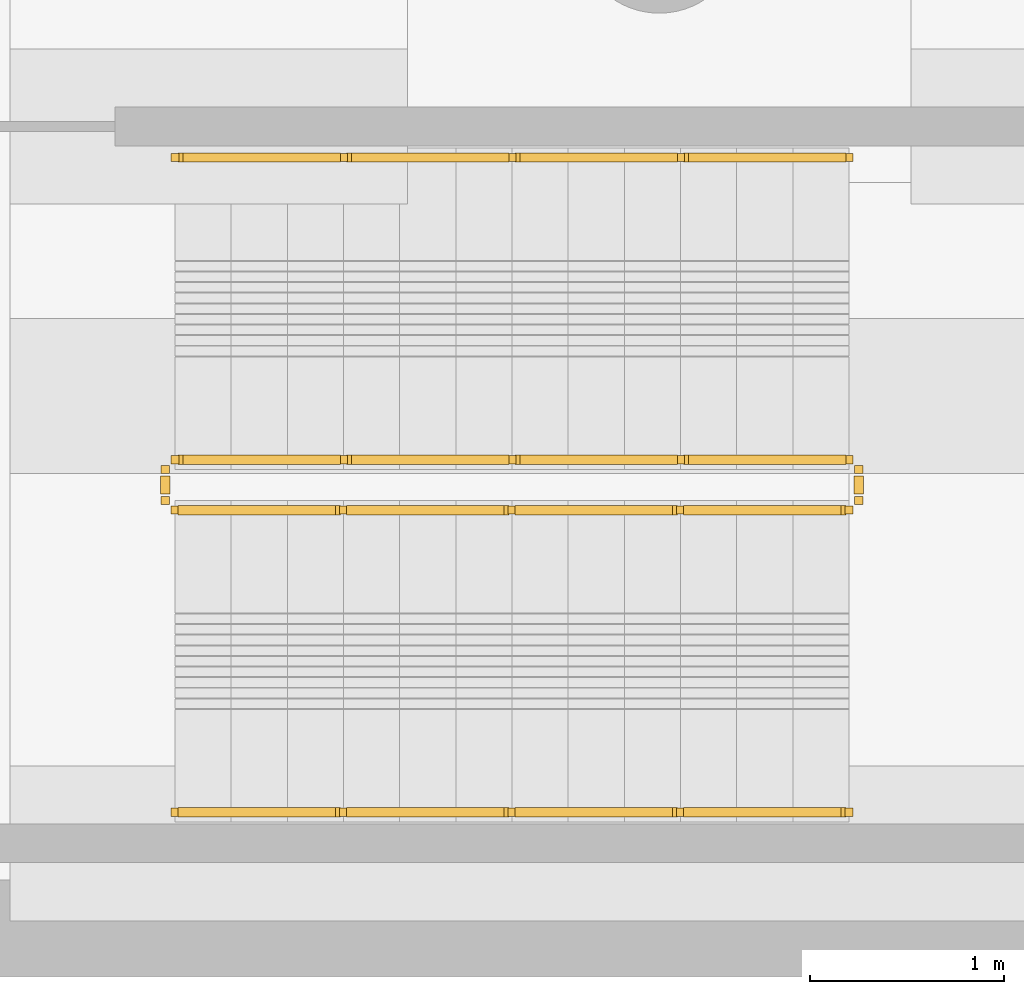
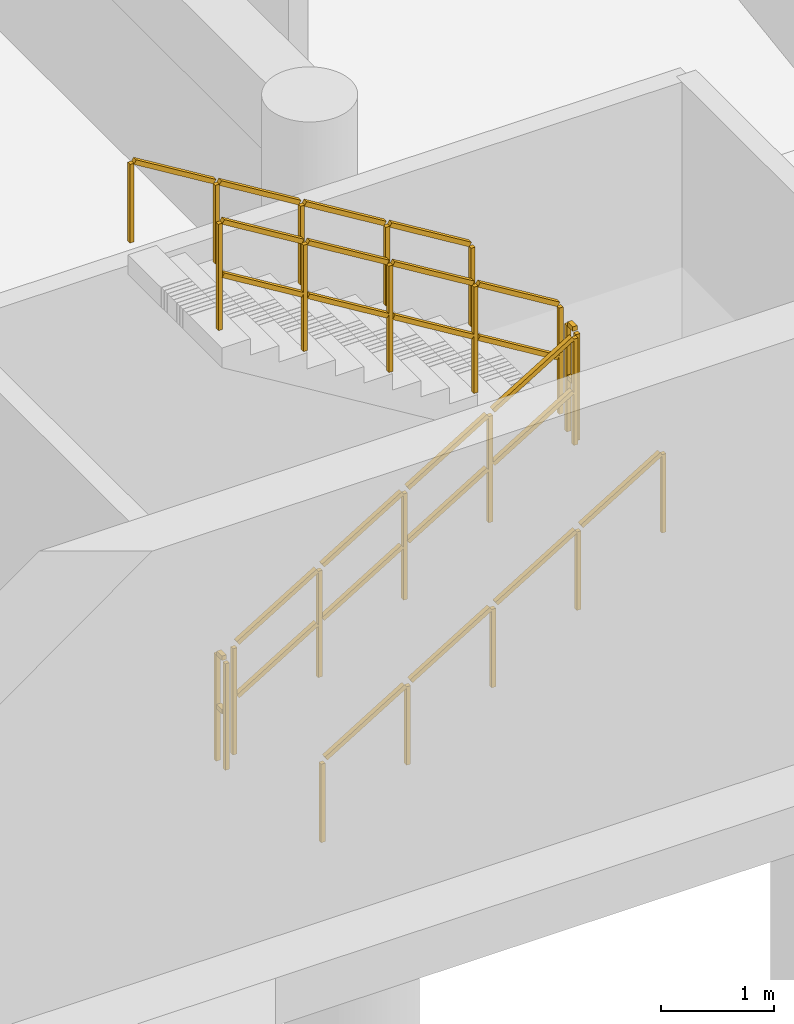
# One storey, part 13 of 14: 6 railings.
"""IFC4 building model written with IfcOpenShell, lengths in metres."""

from ifc_helpers import new_model, si_unit, direction, frame, origin, origin_2d, place, context, subcontext, project, spatial, rectangle, extrude, material, type_object, element, save


model = new_model("IFC4")

# Units and contexts
model_context = context("Model", 3, precision=1e-05, world=origin(), true_north=direction((0.0, 1.0)))
body_context = subcontext(model_context, "Body", "Model", "MODEL_VIEW")
ifc_project = project(units=[si_unit("LENGTHUNIT", "METRE"), si_unit("AREAUNIT", "SQUARE_METRE"), si_unit("VOLUMEUNIT", "CUBIC_METRE"), si_unit("PLANEANGLEUNIT", "RADIAN"), si_unit("MASSUNIT", "GRAM", prefix="KILO")], contexts=[model_context])

# Site, building, storey
site_placement = place(None, origin())
site = spatial("IfcSite", under=ifc_project, at=site_placement, CompositionType="ELEMENT")
building_placement = place(site_placement, origin())
building = spatial("IfcBuilding", under=site, at=building_placement, Name="Saelheon Loggia Tower", CompositionType="ELEMENT")
storey_placement = place(building_placement, frame((0.0, 0.0, -9.199951171875)))
storey = spatial("IfcBuildingStorey", under=building, at=storey_placement, Name="B2", CompositionType="ELEMENT", Elevation=-9.199951171875)

# Railings
ifc_material_1 = material(Name="Galvanised Steel S275 Stairwell Guardrail", Category="steel")
railing_type_1 = type_object("IfcRailingType", Name="Guard_StairWell_RL_STG", PredefinedType="GUARDRAIL", material=ifc_material_1)
railing_1_placement = place(storey_placement, frame((65.85009765625, 2.409912109375, 0.1767578125)))
element("IfcRailing", 1, at=railing_1_placement, inside=storey, type_object=railing_type_1, Name="B2 ST4 stair guard 1", PredefinedType="GUARDRAIL", context=body_context, shape_type="SweptSolid", body=[
    extrude(rectangle(XDim=0.048095703125, YDim=0.048095703125, at=origin_2d()), frame((0.0283203125, 0.0, 1.193115234375), z_axis=(0.853648758027, 0.0, 0.520849112429), x_axis=(0.0, 1.0, 0.0)), (0.0, 0.0, 1.0), 0.95263671875),
    extrude(rectangle(XDim=0.048095703125, YDim=0.048095703125, at=origin_2d()), frame((0.0283203125, 0.0, 0.6171875), z_axis=(0.853648758027, 0.0, 0.520849112429), x_axis=(0.0, 1.0, 0.0)), (0.0, 0.0, 1.0), 0.95263671875),
    extrude(rectangle(XDim=0.048095703125, YDim=0.048095703125, at=origin_2d()), frame((0.8984375, 0.0, 1.72412109375), z_axis=(0.853648758027, 0.0, 0.520849112429), x_axis=(0.0, 1.0, 0.0)), (0.0, 0.0, 1.0), 0.95263671875),
    extrude(rectangle(XDim=0.048095703125, YDim=0.048095703125, at=origin_2d()), frame((0.8984375, 0.0, 1.148193359375), z_axis=(0.853648758027, 0.0, 0.520849112429), x_axis=(0.0, 1.0, 0.0)), (0.0, 0.0, 1.0), 0.95263671875),
    extrude(rectangle(XDim=0.048095703125, YDim=0.048095703125, at=origin_2d()), frame((1.768310546875, 0.0, 2.2548828125), z_axis=(0.853648758027, 0.0, 0.520849112429), x_axis=(0.0, 1.0, 0.0)), (0.0, 0.0, 1.0), 0.95263671875),
    extrude(rectangle(XDim=0.048095703125, YDim=0.048095703125, at=origin_2d()), frame((1.768310546875, 0.0, 1.678955078125), z_axis=(0.853648758027, 0.0, 0.520849112429), x_axis=(0.0, 1.0, 0.0)), (0.0, 0.0, 1.0), 0.95263671875),
    extrude(rectangle(XDim=0.048095703125, YDim=0.048095703125, at=origin_2d()), frame((2.638427734375, 0.0, 2.78564453125), z_axis=(0.853648758027, 0.0, 0.520849112429), x_axis=(0.0, 1.0, 0.0)), (0.0, 0.0, 1.0), 0.95263671875),
    extrude(rectangle(XDim=0.048095703125, YDim=0.048095703125, at=origin_2d()), frame((2.638427734375, 0.0, 2.209716796875), z_axis=(0.853648758027, 0.0, 0.520849112429), x_axis=(0.0, 1.0, 0.0)), (0.0, 0.0, 1.0), 0.95263671875),
    extrude(rectangle(XDim=0.0419921875, YDim=0.0419921875, at=origin_2d()), origin(), (0.0, 0.0, 1.0), 1.14794921875),
    extrude(rectangle(XDim=0.0419921875, YDim=0.0419921875, at=origin_2d()), frame((0.8701171875, 0.0, 0.53076171875)), (0.0, 0.0, 1.0), 1.14794921875),
    extrude(rectangle(XDim=0.0419921875, YDim=0.0419921875, at=origin_2d()), frame((1.739990234375, 0.0, 1.0615234375)), (0.0, 0.0, 1.0), 1.14794921875),
    extrude(rectangle(XDim=0.0419921875, YDim=0.0419921875, at=origin_2d()), frame((2.60986328125, 0.0, 1.592529296875)), (0.0, 0.0, 1.0), 1.14794921875),
    extrude(rectangle(XDim=0.0419921875, YDim=0.0419921875, at=origin_2d()), frame((3.47998046875, 0.0, 2.123291015625)), (0.0, 0.0, 1.0), 1.14794921875),
])
railing_2_placement = place(storey_placement, frame((69.3798828125, 2.4599609375, 2.300048828125)))
element("IfcRailing", 2, at=railing_2_placement, inside=storey, type_object=railing_type_1, Name="B2 ST4 stair guard 2", PredefinedType="GUARDRAIL", context=body_context, shape_type="SweptSolid", body=[
    extrude(rectangle(XDim=0.048095703125, YDim=0.048095703125, at=origin_2d()), frame((0.0, 0.033203125, 1.17578125), z_axis=(0.0, 1.0, 0.0), x_axis=(-1.0, 0.0, 0.0)), (0.0, 0.0, 1.0), 0.09375),
    extrude(rectangle(XDim=0.048095703125, YDim=0.048095703125, at=origin_2d()), frame((0.0, 0.033203125, 0.60009765625), z_axis=(0.0, 1.0, 0.0), x_axis=(-1.0, 0.0, 0.0)), (0.0, 0.0, 1.0), 0.09375),
    extrude(rectangle(XDim=0.0419921875, YDim=0.0419921875, at=origin_2d()), origin(), (0.0, 0.0, 1.0), 1.14794921875),
    extrude(rectangle(XDim=0.0419921875, YDim=0.0419921875, at=origin_2d()), frame((0.0, 0.16015625, 0.0)), (0.0, 0.0, 1.0), 1.14794921875),
])
railing_3_placement = place(storey_placement, frame((69.330078125, 2.669921875, 2.476806640625)))
element("IfcRailing", 3, at=railing_3_placement, inside=storey, type_object=railing_type_1, Name="B2 ST4 stair guard 3", PredefinedType="GUARDRAIL", context=body_context, shape_type="SweptSolid", body=[
    extrude(rectangle(XDim=0.048095703125, YDim=0.048095703125, at=origin_2d()), frame((-0.0283203125, 0.0, 1.193115234375), z_axis=(-0.853675385439, 0.0, 0.520805468765), x_axis=(0.0, -1.0, 0.0)), (0.0, 0.0, 1.0), 0.95263671875),
    extrude(rectangle(XDim=0.048095703125, YDim=0.048095703125, at=origin_2d()), frame((-0.0283203125, 0.0, 0.6171875), z_axis=(-0.853675385439, 0.0, 0.520805468765), x_axis=(0.0, -1.0, 0.0)), (0.0, 0.0, 1.0), 0.95263671875),
    extrude(rectangle(XDim=0.048095703125, YDim=0.048095703125, at=origin_2d()), frame((-0.8984375, 0.0, 1.723876953125), z_axis=(-0.853675385439, 0.0, 0.520805468765), x_axis=(0.0, -1.0, 0.0)), (0.0, 0.0, 1.0), 0.95263671875),
    extrude(rectangle(XDim=0.048095703125, YDim=0.048095703125, at=origin_2d()), frame((-0.8984375, 0.0, 1.14794921875), z_axis=(-0.853675385439, 0.0, 0.520805468765), x_axis=(0.0, -1.0, 0.0)), (0.0, 0.0, 1.0), 0.95263671875),
    extrude(rectangle(XDim=0.048095703125, YDim=0.048095703125, at=origin_2d()), frame((-1.768310546875, 0.0, 2.254638671875), z_axis=(-0.853675385439, 0.0, 0.520805468765), x_axis=(0.0, -1.0, 0.0)), (0.0, 0.0, 1.0), 0.95263671875),
    extrude(rectangle(XDim=0.048095703125, YDim=0.048095703125, at=origin_2d()), frame((-1.768310546875, 0.0, 1.6787109375), z_axis=(-0.853675385439, 0.0, 0.520805468765), x_axis=(0.0, -1.0, 0.0)), (0.0, 0.0, 1.0), 0.95263671875),
    extrude(rectangle(XDim=0.048095703125, YDim=0.048095703125, at=origin_2d()), frame((-2.638427734375, 0.0, 2.785400390625), z_axis=(-0.853675385439, 0.0, 0.520805468765), x_axis=(0.0, -1.0, 0.0)), (0.0, 0.0, 1.0), 0.95263671875),
    extrude(rectangle(XDim=0.048095703125, YDim=0.048095703125, at=origin_2d()), frame((-2.638427734375, 0.0, 2.20947265625), z_axis=(-0.853675385439, 0.0, 0.520805468765), x_axis=(0.0, -1.0, 0.0)), (0.0, 0.0, 1.0), 0.95263671875),
    extrude(rectangle(XDim=0.0419921875, YDim=0.0419921875, at=origin_2d()), origin(), (0.0, 0.0, 1.0), 1.14794921875),
    extrude(rectangle(XDim=0.0419921875, YDim=0.0419921875, at=origin_2d()), frame((-0.8701171875, 0.0, 0.53076171875)), (0.0, 0.0, 1.0), 1.14794921875),
    extrude(rectangle(XDim=0.0419921875, YDim=0.0419921875, at=origin_2d()), frame((-1.739990234375, 0.0, 1.0615234375)), (0.0, 0.0, 1.0), 1.14794921875),
    extrude(rectangle(XDim=0.0419921875, YDim=0.0419921875, at=origin_2d()), frame((-2.60986328125, 0.0, 1.59228515625)), (0.0, 0.0, 1.0), 1.14794921875),
    extrude(rectangle(XDim=0.0419921875, YDim=0.0419921875, at=origin_2d()), frame((-3.47998046875, 0.0, 2.123046875)), (0.0, 0.0, 1.0), 1.14794921875),
])
railing_4_placement = place(storey_placement, frame((65.800048828125, 2.4599609375, 0.0)))
element("IfcRailing", 4, at=railing_4_placement, inside=storey, type_object=railing_type_1, Name="B2 ST4 stair guard 4", PredefinedType="GUARDRAIL", context=body_context, shape_type="SweptSolid", body=[
    extrude(rectangle(XDim=0.048095703125, YDim=0.048095703125, at=origin_2d()), frame((0.0, 0.033203125, 1.17578125), z_axis=(0.0, 1.0, 0.0), x_axis=(-1.0, 0.0, 0.0)), (0.0, 0.0, 1.0), 0.09375),
    extrude(rectangle(XDim=0.048095703125, YDim=0.048095703125, at=origin_2d()), frame((0.0, 0.033203125, 0.60009765625), z_axis=(0.0, 1.0, 0.0), x_axis=(-1.0, 0.0, 0.0)), (0.0, 0.0, 1.0), 0.09375),
    extrude(rectangle(XDim=0.0419921875, YDim=0.0419921875, at=origin_2d()), origin(), (0.0, 0.0, 1.0), 1.14794921875),
    extrude(rectangle(XDim=0.0419921875, YDim=0.0419921875, at=origin_2d()), frame((0.0, 0.16015625, 0.0)), (0.0, 0.0, 1.0), 1.14794921875),
])
ifc_material_2 = material(Name="Stainless Steel 304 Tubular Handrail", Category="steel")
railing_type_2 = type_object("IfcRailingType", Name="Handrail_Stair_RL_HR1", PredefinedType="HANDRAIL", material=ifc_material_2)
railing_5_placement = place(storey_placement, frame((65.85009765625, 0.85009765625, 0.1767578125)))
element("IfcRailing", 5, at=railing_5_placement, inside=storey, type_object=railing_type_2, Name="B2 ST4 stair handrail 1", PredefinedType="HANDRAIL", context=body_context, shape_type="SweptSolid", body=[
    extrude(rectangle(XDim=0.048095703125, YDim=0.048095703125, at=origin_2d()), frame((0.0283203125, 0.0, 0.89306640625), z_axis=(0.853648758027, 0.0, 0.520849112429), x_axis=(0.0, 1.0, 0.0)), (0.0, 0.0, 1.0), 0.95263671875),
    extrude(rectangle(XDim=0.048095703125, YDim=0.048095703125, at=origin_2d()), frame((0.8984375, 0.0, 1.424072265625), z_axis=(0.853648758027, 0.0, 0.520849112429), x_axis=(0.0, 1.0, 0.0)), (0.0, 0.0, 1.0), 0.95263671875),
    extrude(rectangle(XDim=0.048095703125, YDim=0.048095703125, at=origin_2d()), frame((1.768310546875, 0.0, 1.954833984375), z_axis=(0.853648758027, 0.0, 0.520849112429), x_axis=(0.0, 1.0, 0.0)), (0.0, 0.0, 1.0), 0.95263671875),
    extrude(rectangle(XDim=0.048095703125, YDim=0.048095703125, at=origin_2d()), frame((2.638427734375, 0.0, 2.485595703125), z_axis=(0.853648758027, 0.0, 0.520849112429), x_axis=(0.0, 1.0, 0.0)), (0.0, 0.0, 1.0), 0.95263671875),
    extrude(rectangle(XDim=0.0419921875, YDim=0.0419921875, at=origin_2d()), origin(), (0.0, 0.0, 1.0), 0.847900390625),
    extrude(rectangle(XDim=0.0419921875, YDim=0.0419921875, at=origin_2d()), frame((0.8701171875, 0.0, 0.53076171875)), (0.0, 0.0, 1.0), 0.847900390625),
    extrude(rectangle(XDim=0.0419921875, YDim=0.0419921875, at=origin_2d()), frame((1.739990234375, 0.0, 1.0615234375)), (0.0, 0.0, 1.0), 0.847900390625),
    extrude(rectangle(XDim=0.0419921875, YDim=0.0419921875, at=origin_2d()), frame((2.60986328125, 0.0, 1.592529296875)), (0.0, 0.0, 1.0), 0.847900390625),
    extrude(rectangle(XDim=0.0419921875, YDim=0.0419921875, at=origin_2d()), frame((3.47998046875, 0.0, 2.123291015625)), (0.0, 0.0, 1.0), 0.847900390625),
])
railing_6_placement = place(storey_placement, frame((69.330078125, 4.22998046875, 2.476806640625)))
element("IfcRailing", 6, at=railing_6_placement, inside=storey, type_object=railing_type_2, Name="B2 ST4 stair handrail 2", PredefinedType="HANDRAIL", context=body_context, shape_type="SweptSolid", body=[
    extrude(rectangle(XDim=0.048095703125, YDim=0.048095703125, at=origin_2d()), frame((-0.0283203125, 0.0, 0.89306640625), z_axis=(-0.853675385439, 0.0, 0.520805468765), x_axis=(0.0, -1.0, 0.0)), (0.0, 0.0, 1.0), 0.95263671875),
    extrude(rectangle(XDim=0.048095703125, YDim=0.048095703125, at=origin_2d()), frame((-0.8984375, 0.0, 1.423828125), z_axis=(-0.853675385439, 0.0, 0.520805468765), x_axis=(0.0, -1.0, 0.0)), (0.0, 0.0, 1.0), 0.95263671875),
    extrude(rectangle(XDim=0.048095703125, YDim=0.048095703125, at=origin_2d()), frame((-1.768310546875, 0.0, 1.95458984375), z_axis=(-0.853675385439, 0.0, 0.520805468765), x_axis=(0.0, -1.0, 0.0)), (0.0, 0.0, 1.0), 0.95263671875),
    extrude(rectangle(XDim=0.048095703125, YDim=0.048095703125, at=origin_2d()), frame((-2.638427734375, 0.0, 2.4853515625), z_axis=(-0.853675385439, 0.0, 0.520805468765), x_axis=(0.0, -1.0, 0.0)), (0.0, 0.0, 1.0), 0.95263671875),
    extrude(rectangle(XDim=0.0419921875, YDim=0.0419921875, at=origin_2d()), origin(), (0.0, 0.0, 1.0), 0.847900390625),
    extrude(rectangle(XDim=0.0419921875, YDim=0.0419921875, at=origin_2d()), frame((-0.8701171875, 0.0, 0.53076171875)), (0.0, 0.0, 1.0), 0.847900390625),
    extrude(rectangle(XDim=0.0419921875, YDim=0.0419921875, at=origin_2d()), frame((-1.739990234375, 0.0, 1.0615234375)), (0.0, 0.0, 1.0), 0.847900390625),
    extrude(rectangle(XDim=0.0419921875, YDim=0.0419921875, at=origin_2d()), frame((-2.60986328125, 0.0, 1.59228515625)), (0.0, 0.0, 1.0), 0.847900390625),
    extrude(rectangle(XDim=0.0419921875, YDim=0.0419921875, at=origin_2d()), frame((-3.47998046875, 0.0, 2.123046875)), (0.0, 0.0, 1.0), 0.847900390625),
])

save(model, "model.ifc")
